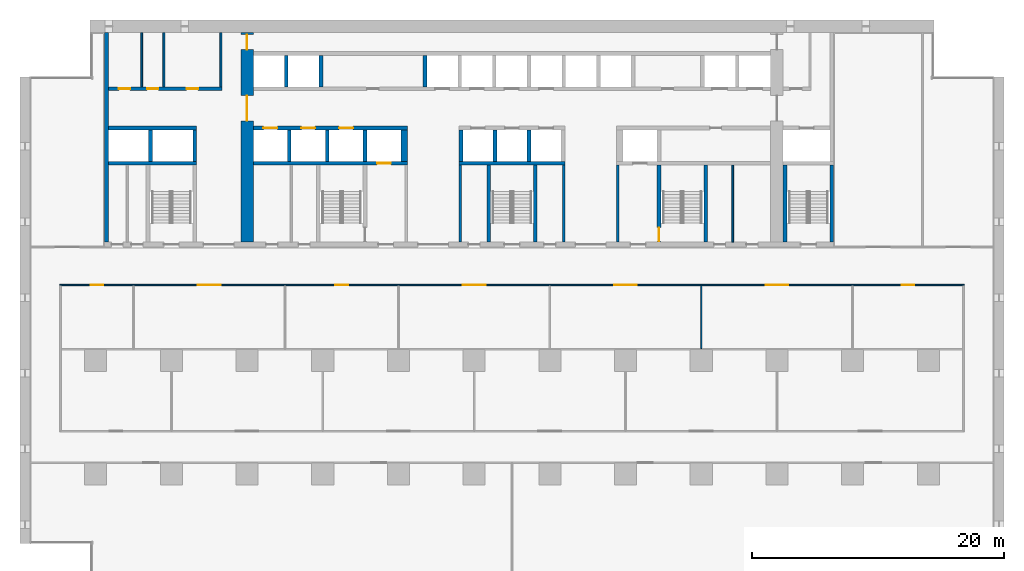
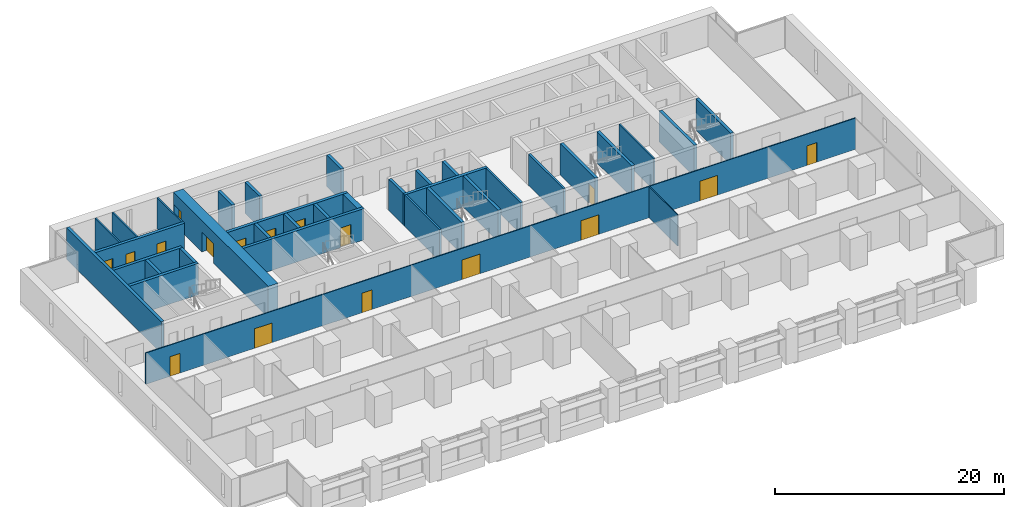
# One storey, part 10 of 18: 35 walls, 17 doors, 17 openings.
"""IFC4 building model written with IfcOpenShell, lengths in metres."""

from ifc_helpers import new_model, si_unit, direction, frame, frame_2d, origin, place, context, subcontext, project, spatial, rectangle, extrude, material, layer, layer_set, type_object, element, fill, save


model = new_model("IFC4")

# Units and contexts
model_context = context("Model", 3, precision=1e-05, world=origin(), true_north=direction((0.0, 1.0)))
body_context = subcontext(model_context, "Body", "Model", "MODEL_VIEW")
ifc_project = project(units=[si_unit("LENGTHUNIT", "METRE"), si_unit("AREAUNIT", "SQUARE_METRE"), si_unit("VOLUMEUNIT", "CUBIC_METRE"), si_unit("PLANEANGLEUNIT", "RADIAN"), si_unit("MASSUNIT", "GRAM", prefix="KILO")], contexts=[model_context])

# Site, building, storey
site_placement = place(None, origin())
site = spatial("IfcSite", under=ifc_project, at=site_placement, CompositionType="ELEMENT")
building_placement = place(site_placement, origin())
building = spatial("IfcBuilding", under=site, at=building_placement, Name="Calvaro Tower", CompositionType="ELEMENT")
storey_placement = place(building_placement, frame((0.0, 0.0, 41.25)))
storey = spatial("IfcBuildingStorey", under=building, at=storey_placement, Name="L09", CompositionType="ELEMENT", Elevation=41.25)

# Walls
ifc_material_1 = material(Name="Blockwork partition", Category="masonry")
ifc_layer_1 = layer(ifc_material_1, 0.14990234375)
ifc_layer_set_1 = layer_set([ifc_layer_1], Name="Blockwork partition")
wall_type_1 = type_object("IfcWallType", Name="Core partition 150 EI 60", PredefinedType="PARTITIONING", material=ifc_layer_set_1)
wall_1_placement = place(storey_placement, frame((56.5, 28.39990234375, 0.0), z_axis=(0.0, 0.0, 1.0), x_axis=(0.0, 1.0, 0.0)))
element("IfcWall", 1, at=wall_1_placement, inside=storey, type_object=wall_type_1, Name="Core partition", PredefinedType="PARTITIONING", context=body_context, shape_type="SweptSolid", body=[
    extrude(rectangle(XDim=6.10009765625, YDim=0.14990234375, at=frame_2d((3.050048828125, 0.0))), origin(), (0.0, 0.0, 1.0), 3.35009765625),
])
for number, where, z_axis, x_axis, name in (
    (2, (9.64990234375, 40.699951171875, 0.0), (0.0, 0.0, 1.0), (0.0, 1.0, 0.0), "Core partition"),
    (3, (11.39990234375, 40.699951171875, 0.0), (0.0, 0.0, 1.0), (0.0, 1.0, 0.0), "Core partition"),
):
    element("IfcWall", number, at=place(storey_placement, frame(where, z_axis=z_axis, x_axis=x_axis)), inside=storey, type_object=wall_type_1, Name=name, PredefinedType="PARTITIONING", context=body_context, shape_type="SweptSolid", body=[
        extrude(rectangle(XDim=4.300048828125, YDim=0.14990234375, at=frame_2d((2.14990234375, 0.0))), origin(), (0.0, 0.0, 1.0), 3.35009765625),
    ])
ifc_material_2 = material(Name="Blockwork partition", Category="masonry")
ifc_layer_2 = layer(ifc_material_2, 0.14990234375)
ifc_layer_set_2 = layer_set([ifc_layer_2], Name="Blockwork partition")
wall_type_2 = type_object("IfcWallType", Name="Core partition 150 REI 120", PredefinedType="PARTITIONING", material=ifc_layer_set_2)
wall_2_placement = place(storey_placement, frame((15.925048828125, 40.699951171875, 0.0), z_axis=(0.0, 0.0, 1.0), x_axis=(0.0, 1.0, 0.0)))
element("IfcWall", 4, at=wall_2_placement, inside=storey, type_object=wall_type_2, Name="Core partition", PredefinedType="PARTITIONING", context=body_context, shape_type="SweptSolid", body=[
    extrude(rectangle(XDim=4.300048828125, YDim=0.14990234375, at=frame_2d((2.14990234375, 0.0))), origin(), (0.0, 0.0, 1.0), 3.35009765625),
])
ifc_material_3 = material(Name="Blockwork partition", Category="masonry")
ifc_layer_3 = layer(ifc_material_3, 0.199951171875)
ifc_layer_set_3 = layer_set([ifc_layer_3], Name="Blockwork partition")
wall_type_3 = type_object("IfcWallType", Name="Core partition 200 REI 120", PredefinedType="PARTITIONING", material=ifc_layer_set_3)
for number, where, z_axis, x_axis, name in (
    (5, (34.89990234375, 28.39990234375, 0.0), (0.0, 0.0, 1.0), (0.0, 1.0, 0.0), "Core partition"),
    (6, (43.10009765625, 28.39990234375, 0.0), (0.0, 0.0, 1.0), (0.0, 1.0, 0.0), "Core partition"),
    (7, (47.39990234375, 28.39990234375, 0.0), (0.0, 0.0, 1.0), (0.0, 1.0, 0.0), "Core partition"),
):
    element("IfcWall", number, at=place(storey_placement, frame(where, z_axis=z_axis, x_axis=x_axis)), inside=storey, type_object=wall_type_3, Name=name, PredefinedType="PARTITIONING", context=body_context, shape_type="SweptSolid", body=[
        extrude(rectangle(XDim=6.10009765625, YDim=0.199951171875, at=frame_2d((3.050048828125, 0.0))), origin(), (0.0, 0.0, 1.0), 3.35009765625),
    ])

# Wall, openings, doors
ifc_material_4 = material(Name="Blockwork partition", Category="masonry")
ifc_layer_4 = layer(ifc_material_4, 0.300048828125)
ifc_layer_set_4 = layer_set([ifc_layer_4], Name="Blockwork partition")
wall_type_4 = type_object("IfcWallType", Name="Core partition 300 REI 120", PredefinedType="PARTITIONING", material=ifc_layer_set_4)
wall_3_placement = place(storey_placement, frame((7.0, 40.550048828125, 0.0), z_axis=(0.0, 0.0, 1.0), x_axis=(1.0, 0.0, 0.0)))
wall_3 = element("IfcWall", 8, at=wall_3_placement, inside=storey, type_object=wall_type_4, Name="Core partition", PredefinedType="PARTITIONING", context=body_context, shape_type="SweptSolid", body=[
    extrude(rectangle(XDim=9.0, YDim=0.300048828125, at=frame_2d((4.5, 0.0))), origin(), (0.0, 0.0, 1.0), 3.35009765625),
])
opening_1_placement = place(wall_3_placement, frame((0.83740234375, 0.0, 0.0)))
opening_1 = element("IfcOpeningElement", 9, at=opening_1_placement, cuts=wall_3, Name="Opening RD9", PredefinedType="OPENING", context=body_context, shape_type="SweptSolid", body=[
    extrude(rectangle(XDim=0.89990234375, YDim=2.10009765625, at=frame_2d((0.449951171875, 1.050048828125))), frame((0.0, 0.159912109375, 0.0), z_axis=(0.0, -1.0, 0.0), x_axis=(1.0, 0.0, 0.0)), (0.0, 0.0, 1.0), 0.320068359375),
])
opening_2_placement = place(wall_3_placement, frame((3.074951171875, 0.0, 0.0)))
opening_2 = element("IfcOpeningElement", 10, at=opening_2_placement, cuts=wall_3, Name="Opening RD9", PredefinedType="OPENING", context=body_context, shape_type="SweptSolid", body=[
    extrude(rectangle(XDim=0.89990234375, YDim=2.10009765625, at=frame_2d((0.449951171875, 1.050048828125))), frame((0.0, 0.159912109375, 0.0), z_axis=(0.0, -1.0, 0.0), x_axis=(1.0, 0.0, 0.0)), (0.0, 0.0, 1.0), 0.320068359375),
])
opening_3_placement = place(wall_3_placement, frame((6.21240234375, 0.0, 0.0)))
opening_3 = element("IfcOpeningElement", 11, at=opening_3_placement, cuts=wall_3, Name="Opening RD9", PredefinedType="OPENING", context=body_context, shape_type="SweptSolid", body=[
    extrude(rectangle(XDim=0.89990234375, YDim=2.10009765625, at=frame_2d((0.449951171875, 1.050048828125))), frame((0.0, 0.159912109375, 0.0), z_axis=(0.0, -1.0, 0.0), x_axis=(1.0, 0.0, 0.0)), (0.0, 0.0, 1.0), 0.320068359375),
])
ifc_material_5 = material(Name="Steel door set", Category="steel")
door_type_1 = type_object("IfcDoorType", Name="Room door 900", OperationType="SINGLE_SWING_LEFT", PredefinedType="DOOR", material=ifc_material_5)
door_1_placement = place(opening_1_placement, origin())
door_1 = element("IfcDoor", 12, at=door_1_placement, inside=storey, type_object=door_type_1, Name="Room door", OperationType="SINGLE_SWING_LEFT", OverallHeight=2.10009765625, OverallWidth=0.89990234375, PredefinedType="DOOR", context=body_context, shape_type="SweptSolid", body=[
    extrude(rectangle(XDim=0.89990234375, YDim=2.10009765625, at=frame_2d((0.449951171875, 1.050048828125))), frame((0.0, 0.02490234375, 0.0), z_axis=(0.0, -1.0, 0.0), x_axis=(1.0, 0.0, 0.0)), (0.0, 0.0, 1.0), 0.050048828125),
])
fill(opening_1, door_1)
door_2_placement = place(opening_2_placement, origin())
door_2 = element("IfcDoor", 13, at=door_2_placement, inside=storey, type_object=door_type_1, Name="Room door", OperationType="SINGLE_SWING_RIGHT", OverallHeight=2.10009765625, OverallWidth=0.89990234375, PredefinedType="DOOR", context=body_context, shape_type="SweptSolid", body=[
    extrude(rectangle(XDim=0.89990234375, YDim=2.10009765625, at=frame_2d((0.449951171875, 1.050048828125))), frame((0.0, 0.02490234375, 0.0), z_axis=(0.0, -1.0, 0.0), x_axis=(1.0, 0.0, 0.0)), (0.0, 0.0, 1.0), 0.050048828125),
])
fill(opening_2, door_2)
door_3_placement = place(opening_3_placement, origin())
door_3 = element("IfcDoor", 14, at=door_3_placement, inside=storey, type_object=door_type_1, Name="Room door", OperationType="SINGLE_SWING_LEFT", OverallHeight=2.10009765625, OverallWidth=0.89990234375, PredefinedType="DOOR", context=body_context, shape_type="SweptSolid", body=[
    extrude(rectangle(XDim=0.89990234375, YDim=2.10009765625, at=frame_2d((0.449951171875, 1.050048828125))), frame((0.0, 0.02490234375, 0.0), z_axis=(0.0, -1.0, 0.0), x_axis=(1.0, 0.0, 0.0)), (0.0, 0.0, 1.0), 0.050048828125),
])
fill(opening_3, door_3)

ifc_material_6 = material(Name="Concrete C80/95", Category="concrete")
ifc_layer_5 = layer(ifc_material_6, 1.0)
ifc_layer_set_5 = layer_set([ifc_layer_5], Name="Concrete C80/95")
wall_type_5 = type_object("IfcWallType", Name="Core wall C80/95 1000", PredefinedType="SHEAR", material=ifc_layer_set_5)
wall_4_placement = place(storey_placement, frame((18.0, 28.39990234375, 0.0), z_axis=(0.0, 0.0, 1.0), x_axis=(0.0, 1.0, 0.0)))
wall_4 = element("IfcWall", 15, at=wall_4_placement, inside=storey, type_object=wall_type_5, Name="Core wall, cross shear wall", PredefinedType="SHEAR", context=body_context, shape_type="SweptSolid", body=[
    extrude(rectangle(XDim=16.60009765625, YDim=1.0, at=frame_2d((8.300048828125, 0.0))), origin(), (0.0, 0.0, 1.0), 3.35009765625),
])
opening_4_placement = place(wall_4_placement, frame((9.60009765625, 0.0, 0.0)))
opening_4 = element("IfcOpeningElement", 16, at=opening_4_placement, cuts=wall_4, Name="Opening DD20D", PredefinedType="OPENING", context=body_context, shape_type="SweptSolid", body=[
    extrude(rectangle(XDim=2.0, YDim=2.10009765625, at=frame_2d((1.0, 1.050048828125))), frame((0.0, 0.510009765625, 0.0), z_axis=(0.0, -1.0, 0.0), x_axis=(1.0, 0.0, 0.0)), (0.0, 0.0, 1.0), 1.02001953125),
])
opening_5_placement = place(wall_4_placement, frame((15.25, 0.0, 0.0)))
opening_5 = element("IfcOpeningElement", 17, at=opening_5_placement, cuts=wall_4, Name="Opening FD12C", PredefinedType="OPENING", context=body_context, shape_type="SweptSolid", body=[
    extrude(rectangle(XDim=1.199951171875, YDim=2.10009765625, at=frame_2d((0.60009765625, 1.050048828125))), frame((0.0, 0.510009765625, 0.0), z_axis=(0.0, -1.0, 0.0), x_axis=(1.0, 0.0, 0.0)), (0.0, 0.0, 1.0), 1.02001953125),
])
ifc_material_7 = material(Name="Steel door set", Category="steel")
door_type_2 = type_object("IfcDoorType", Name="Fire door 1200 FD30", OperationType="SINGLE_SWING_LEFT", PredefinedType="DOOR", material=ifc_material_7)
door_4_placement = place(opening_5_placement, origin())
door_4 = element("IfcDoor", 18, at=door_4_placement, inside=storey, type_object=door_type_2, Name="Fire door", OperationType="SINGLE_SWING_LEFT", OverallHeight=2.10009765625, OverallWidth=1.199951171875, PredefinedType="DOOR", context=body_context, shape_type="SweptSolid", body=[
    extrude(rectangle(XDim=1.199951171875, YDim=2.10009765625, at=frame_2d((0.60009765625, 1.050048828125))), frame((0.0, 0.02490234375, 0.0), z_axis=(0.0, -1.0, 0.0), x_axis=(1.0, 0.0, 0.0)), (0.0, 0.0, 1.0), 0.050048828125),
])
fill(opening_5, door_4)
ifc_material_8 = material(Name="Steel door set", Category="steel")
door_type_3 = type_object("IfcDoorType", Name="Lobby double door 2000 FD30S", OperationType="DOUBLE_DOOR_SINGLE_SWING", PredefinedType="DOOR", material=ifc_material_8)
door_5_placement = place(opening_4_placement, origin())
door_5 = element("IfcDoor", 19, at=door_5_placement, inside=storey, type_object=door_type_3, Name="Lobby double door", OperationType="DOUBLE_DOOR_SINGLE_SWING", OverallHeight=2.10009765625, OverallWidth=2.0, PredefinedType="DOOR", context=body_context, shape_type="SweptSolid", body=[
    extrude(rectangle(XDim=2.0, YDim=2.10009765625, at=frame_2d((1.0, 1.050048828125))), frame((0.0, 0.02490234375, 0.0), z_axis=(0.0, -1.0, 0.0), x_axis=(1.0, 0.0, 0.0)), (0.0, 0.0, 1.0), 0.050048828125),
])
fill(opening_4, door_5)

# Walls
ifc_material_9 = material(Name="Concrete C80/95", Category="concrete")
ifc_layer_6 = layer(ifc_material_9, 0.300048828125)
ifc_layer_set_6 = layer_set([ifc_layer_6], Name="Concrete C80/95")
wall_type_6 = type_object("IfcWallType", Name="Core wall C80/95 300", PredefinedType="SHEAR", material=ifc_layer_set_6)
wall_5_placement = place(storey_placement, frame((6.85009765625, 28.39990234375, 0.0), z_axis=(0.0, 0.0, 1.0), x_axis=(0.0, 1.0, 0.0)))
element("IfcWall", 20, at=wall_5_placement, inside=storey, type_object=wall_type_6, Name="Core wall, boundary", PredefinedType="SHEAR", context=body_context, shape_type="SweptSolid", body=[
    extrude(rectangle(XDim=16.60009765625, YDim=0.300048828125, at=frame_2d((8.300048828125, 0.0))), origin(), (0.0, 0.0, 1.0), 3.35009765625),
])
for number, where, z_axis, x_axis, name in (
    (21, (37.14990234375, 28.39990234375, 0.0), (0.0, 0.0, 1.0), (0.0, 1.0, 0.0), "Core wall, stair enclosure"),
    (22, (40.85009765625, 28.39990234375, 0.0), (0.0, 0.0, 1.0), (0.0, 1.0, 0.0), "Core wall, stair enclosure"),
):
    element("IfcWall", number, at=place(storey_placement, frame(where, z_axis=z_axis, x_axis=x_axis)), inside=storey, type_object=wall_type_6, Name=name, PredefinedType="SHEAR", context=body_context, shape_type="SweptSolid", body=[
        extrude(rectangle(XDim=6.10009765625, YDim=0.300048828125, at=frame_2d((3.050048828125, 0.0))), origin(), (0.0, 0.0, 1.0), 3.35009765625),
    ])

# Wall, opening, door
wall_6_placement = place(storey_placement, frame((50.64990234375, 34.5, 0.0), z_axis=(0.0, 0.0, 1.0), x_axis=(0.0, -1.0, 0.0)))
wall_6 = element("IfcWall", 23, at=wall_6_placement, inside=storey, type_object=wall_type_6, Name="Core wall, stair enclosure", PredefinedType="SHEAR", context=body_context, shape_type="SweptSolid", body=[
    extrude(rectangle(XDim=6.10009765625, YDim=0.300048828125, at=frame_2d((3.050048828125, 0.0))), origin(), (0.0, 0.0, 1.0), 3.35009765625),
])
opening_6_placement = place(wall_6_placement, frame((4.949951171875, 0.0, 0.0)))
opening_6 = element("IfcOpeningElement", 24, at=opening_6_placement, cuts=wall_6, Name="Opening FD11D", PredefinedType="OPENING", context=body_context, shape_type="SweptSolid", body=[
    extrude(rectangle(XDim=1.10009765625, YDim=2.10009765625, at=frame_2d((0.550048828125, 1.050048828125))), frame((0.0, 0.159912109375, 0.0), z_axis=(0.0, -1.0, 0.0), x_axis=(1.0, 0.0, 0.0)), (0.0, 0.0, 1.0), 0.320068359375),
])
ifc_material_10 = material(Name="Steel door set", Category="steel")
door_type_4 = type_object("IfcDoorType", Name="Fire door 1100 FD30S", OperationType="SINGLE_SWING_LEFT", PredefinedType="DOOR", material=ifc_material_10)
door_6_placement = place(opening_6_placement, origin())
door_6 = element("IfcDoor", 25, at=door_6_placement, inside=storey, type_object=door_type_4, Name="Fire door", OperationType="SINGLE_SWING_RIGHT", OverallHeight=2.10009765625, OverallWidth=1.10009765625, PredefinedType="DOOR", context=body_context, shape_type="SweptSolid", body=[
    extrude(rectangle(XDim=1.10009765625, YDim=2.10009765625, at=frame_2d((0.550048828125, 1.050048828125))), frame((0.0, 0.02490234375, 0.0), z_axis=(0.0, -1.0, 0.0), x_axis=(1.0, 0.0, 0.0)), (0.0, 0.0, 1.0), 0.050048828125),
])
fill(opening_6, door_6)

# Walls
for number, where, z_axis, x_axis, name in (
    (26, (54.35009765625, 28.39990234375, 0.0), (0.0, 0.0, 1.0), (0.0, 1.0, 0.0), "Core wall, stair enclosure"),
    (27, (60.64990234375, 28.39990234375, 0.0), (0.0, 0.0, 1.0), (0.0, 1.0, 0.0), "Core wall, stair enclosure"),
    (28, (64.35009765625, 28.39990234375, 0.0), (0.0, 0.0, 1.0), (0.0, 1.0, 0.0), "Core wall, stair enclosure"),
):
    element("IfcWall", number, at=place(storey_placement, frame(where, z_axis=z_axis, x_axis=x_axis)), inside=storey, type_object=wall_type_6, Name=name, PredefinedType="SHEAR", context=body_context, shape_type="SweptSolid", body=[
        extrude(rectangle(XDim=6.10009765625, YDim=0.300048828125, at=frame_2d((3.050048828125, 0.0))), origin(), (0.0, 0.0, 1.0), 3.35009765625),
    ])
wall_7_placement = place(storey_placement, frame((7.0, 34.64990234375, 0.0), z_axis=(0.0, 0.0, 1.0), x_axis=(1.0, 0.0, 0.0)))
element("IfcWall", 29, at=wall_7_placement, inside=storey, type_object=wall_type_6, Name="Core wall, lift shaft", PredefinedType="SHEAR", context=body_context, shape_type="SweptSolid", body=[
    extrude(rectangle(XDim=7.0, YDim=0.300048828125, at=frame_2d((3.5, 0.0))), origin(), (0.0, 0.0, 1.0), 3.35009765625),
])

# Wall, opening, door
wall_8_placement = place(storey_placement, frame((18.5, 34.64990234375, 0.0), z_axis=(0.0, 0.0, 1.0), x_axis=(1.0, 0.0, 0.0)))
wall_8 = element("IfcWall", 30, at=wall_8_placement, inside=storey, type_object=wall_type_6, Name="Core wall, lift shaft", PredefinedType="SHEAR", context=body_context, shape_type="SweptSolid", body=[
    extrude(rectangle(XDim=12.199951171875, YDim=0.300048828125, at=frame_2d((6.10009765625, 0.0))), origin(), (0.0, 0.0, 1.0), 3.35009765625),
])
opening_7_placement = place(wall_8_placement, frame((9.800048828125, 0.0, 0.0)))
opening_7 = element("IfcOpeningElement", 31, at=opening_7_placement, cuts=wall_8, Name="Opening FF1", PredefinedType="OPENING", context=body_context, shape_type="SweptSolid", body=[
    extrude(rectangle(XDim=1.10009765625, YDim=2.10009765625, at=frame_2d((0.550048828125, 1.050048828125))), frame((0.0, 0.159912109375, 0.0), z_axis=(0.0, -1.0, 0.0), x_axis=(1.0, 0.0, 0.0)), (0.0, 0.0, 1.0), 0.320068359375),
])
ifc_material_11 = material(Name="Stainless steel", Category="steel")
door_type_5 = type_object("IfcDoorType", Name="Landing door 1100 E 60", OperationType="SLIDING_TO_LEFT", PredefinedType="DOOR", material=ifc_material_11)
door_7_placement = place(opening_7_placement, origin())
door_7 = element("IfcDoor", 32, at=door_7_placement, inside=storey, type_object=door_type_5, Name="Landing door FF1", OperationType="SLIDING_TO_LEFT", OverallHeight=2.10009765625, OverallWidth=1.10009765625, PredefinedType="DOOR", context=body_context, shape_type="SweptSolid", body=[
    extrude(rectangle(XDim=1.10009765625, YDim=2.10009765625, at=frame_2d((0.550048828125, 1.050048828125))), frame((0.0, 0.02490234375, 0.0), z_axis=(0.0, -1.0, 0.0), x_axis=(1.0, 0.0, 0.0)), (0.0, 0.0, 1.0), 0.050048828125),
])
fill(opening_7, door_7)

# Walls
wall_9_placement = place(storey_placement, frame((34.800048828125, 34.64990234375, 0.0), z_axis=(0.0, 0.0, 1.0), x_axis=(1.0, 0.0, 0.0)))
element("IfcWall", 33, at=wall_9_placement, inside=storey, type_object=wall_type_6, Name="Core wall, lift shaft", PredefinedType="SHEAR", context=body_context, shape_type="SweptSolid", body=[
    extrude(rectangle(XDim=8.39990234375, YDim=0.300048828125, at=frame_2d((4.199951171875, 0.0))), origin(), (0.0, 0.0, 1.0), 3.35009765625),
])
wall_10_placement = place(storey_placement, frame((7.0, 37.449951171875, 0.0), z_axis=(0.0, 0.0, 1.0), x_axis=(1.0, 0.0, 0.0)))
element("IfcWall", 34, at=wall_10_placement, inside=storey, type_object=wall_type_6, Name="Core wall, lift shaft", PredefinedType="SHEAR", context=body_context, shape_type="SweptSolid", body=[
    extrude(rectangle(XDim=7.0, YDim=0.300048828125, at=frame_2d((3.5, 0.0))), origin(), (0.0, 0.0, 1.0), 3.35009765625),
])

# Wall, openings, doors
wall_11_placement = place(storey_placement, frame((18.5, 37.449951171875, 0.0), z_axis=(0.0, 0.0, 1.0), x_axis=(1.0, 0.0, 0.0)))
wall_11 = element("IfcWall", 35, at=wall_11_placement, inside=storey, type_object=wall_type_6, Name="Core wall, lift shaft", PredefinedType="SHEAR", context=body_context, shape_type="SweptSolid", body=[
    extrude(rectangle(XDim=12.199951171875, YDim=0.300048828125, at=frame_2d((6.10009765625, 0.0))), origin(), (0.0, 0.0, 1.0), 3.35009765625),
])
opening_8_placement = place(wall_11_placement, frame((0.800048828125, 0.0, 0.0)))
opening_8 = element("IfcOpeningElement", 36, at=opening_8_placement, cuts=wall_11, Name="Opening LR1", PredefinedType="OPENING", context=body_context, shape_type="SweptSolid", body=[
    extrude(rectangle(XDim=1.10009765625, YDim=2.10009765625, at=frame_2d((0.550048828125, 1.050048828125))), frame((0.0, 0.159912109375, 0.0), z_axis=(0.0, -1.0, 0.0), x_axis=(1.0, 0.0, 0.0)), (0.0, 0.0, 1.0), 0.320068359375),
])
opening_9_placement = place(wall_11_placement, frame((3.800048828125, 0.0, 0.0)))
opening_9 = element("IfcOpeningElement", 37, at=opening_9_placement, cuts=wall_11, Name="Opening LR2", PredefinedType="OPENING", context=body_context, shape_type="SweptSolid", body=[
    extrude(rectangle(XDim=1.10009765625, YDim=2.10009765625, at=frame_2d((0.550048828125, 1.050048828125))), frame((0.0, 0.159912109375, 0.0), z_axis=(0.0, -1.0, 0.0), x_axis=(1.0, 0.0, 0.0)), (0.0, 0.0, 1.0), 0.320068359375),
])
opening_10_placement = place(wall_11_placement, frame((6.800048828125, 0.0, 0.0)))
opening_10 = element("IfcOpeningElement", 38, at=opening_10_placement, cuts=wall_11, Name="Opening LR3", PredefinedType="OPENING", context=body_context, shape_type="SweptSolid", body=[
    extrude(rectangle(XDim=1.10009765625, YDim=2.10009765625, at=frame_2d((0.550048828125, 1.050048828125))), frame((0.0, 0.159912109375, 0.0), z_axis=(0.0, -1.0, 0.0), x_axis=(1.0, 0.0, 0.0)), (0.0, 0.0, 1.0), 0.320068359375),
])
door_8_placement = place(opening_8_placement, origin())
door_8 = element("IfcDoor", 39, at=door_8_placement, inside=storey, type_object=door_type_5, Name="Landing door LR1", OperationType="SLIDING_TO_LEFT", OverallHeight=2.10009765625, OverallWidth=1.10009765625, PredefinedType="DOOR", context=body_context, shape_type="SweptSolid", body=[
    extrude(rectangle(XDim=1.10009765625, YDim=2.10009765625, at=frame_2d((0.550048828125, 1.050048828125))), frame((0.0, 0.02490234375, 0.0), z_axis=(0.0, -1.0, 0.0), x_axis=(1.0, 0.0, 0.0)), (0.0, 0.0, 1.0), 0.050048828125),
])
fill(opening_8, door_8)
door_9_placement = place(opening_9_placement, origin())
door_9 = element("IfcDoor", 40, at=door_9_placement, inside=storey, type_object=door_type_5, Name="Landing door LR2", OperationType="SLIDING_TO_LEFT", OverallHeight=2.10009765625, OverallWidth=1.10009765625, PredefinedType="DOOR", context=body_context, shape_type="SweptSolid", body=[
    extrude(rectangle(XDim=1.10009765625, YDim=2.10009765625, at=frame_2d((0.550048828125, 1.050048828125))), frame((0.0, 0.02490234375, 0.0), z_axis=(0.0, -1.0, 0.0), x_axis=(1.0, 0.0, 0.0)), (0.0, 0.0, 1.0), 0.050048828125),
])
fill(opening_9, door_9)
door_10_placement = place(opening_10_placement, origin())
door_10 = element("IfcDoor", 41, at=door_10_placement, inside=storey, type_object=door_type_5, Name="Landing door LR3", OperationType="SLIDING_TO_LEFT", OverallHeight=2.10009765625, OverallWidth=1.10009765625, PredefinedType="DOOR", context=body_context, shape_type="SweptSolid", body=[
    extrude(rectangle(XDim=1.10009765625, YDim=2.10009765625, at=frame_2d((0.550048828125, 1.050048828125))), frame((0.0, 0.02490234375, 0.0), z_axis=(0.0, -1.0, 0.0), x_axis=(1.0, 0.0, 0.0)), (0.0, 0.0, 1.0), 0.050048828125),
])
fill(opening_10, door_10)

# Walls
for number, where, z_axis, x_axis, name in (
    (42, (27.35009765625, 34.800048828125, 0.0), (0.0, 0.0, 1.0), (0.0, 1.0, 0.0), "Core wall, lift shaft"),
    (43, (34.949951171875, 34.800048828125, 0.0), (0.0, 0.0, 1.0), (0.0, 1.0, 0.0), "Core wall, lift shaft"),
    (44, (13.85009765625, 34.800048828125, 0.0), (0.0, 0.0, 1.0), (0.0, 1.0, 0.0), "Core wall, lift shaft"),
    (45, (21.35009765625, 34.800048828125, 0.0), (0.0, 0.0, 1.0), (0.0, 1.0, 0.0), "Core wall, lift shaft"),
    (46, (24.35009765625, 34.800048828125, 0.0), (0.0, 0.0, 1.0), (0.0, 1.0, 0.0), "Core wall, lift shaft"),
    (47, (37.64990234375, 34.800048828125, 0.0), (0.0, 0.0, 1.0), (0.0, 1.0, 0.0), "Core wall, lift shaft"),
    (48, (40.35009765625, 34.800048828125, 0.0), (0.0, 0.0, 1.0), (0.0, 1.0, 0.0), "Core wall, lift shaft"),
    (49, (21.10009765625, 40.699951171875, 0.0), (0.0, 0.0, 1.0), (0.0, 1.0, 0.0), "Core wall, lift shaft"),
    (50, (23.85009765625, 40.699951171875, 0.0), (0.0, 0.0, 1.0), (0.0, 1.0, 0.0), "Core wall, lift shaft"),
    (51, (32.10009765625, 40.699951171875, 0.0), (0.0, 0.0, 1.0), (0.0, 1.0, 0.0), "Core wall, lift shaft"),
    (52, (10.35009765625, 34.800048828125, 0.0), (0.0, 0.0, 1.0), (0.0, 1.0, 0.0), "Core wall, lift shaft"),
):
    element("IfcWall", number, at=place(storey_placement, frame(where, z_axis=z_axis, x_axis=x_axis)), inside=storey, type_object=wall_type_6, Name=name, PredefinedType="SHEAR", context=body_context, shape_type="SweptSolid", body=[
        extrude(rectangle(XDim=2.5, YDim=0.300048828125, at=frame_2d((1.25, 0.0))), origin(), (0.0, 0.0, 1.0), 3.35009765625),
    ])
ifc_material_12 = material(Name="Concrete C80/95", Category="concrete")
ifc_layer_7 = layer(ifc_material_12, 0.5)
ifc_layer_set_7 = layer_set([ifc_layer_7], Name="Concrete C80/95")
wall_type_7 = type_object("IfcWallType", Name="Core wall C80/95 500", PredefinedType="SHEAR", material=ifc_layer_set_7)
wall_12_placement = place(storey_placement, frame((30.449951171875, 34.800048828125, 0.0), z_axis=(0.0, 0.0, 1.0), x_axis=(0.0, 1.0, 0.0)))
element("IfcWall", 53, at=wall_12_placement, inside=storey, type_object=wall_type_7, Name="Core wall, lift shaft", PredefinedType="SHEAR", context=body_context, shape_type="SweptSolid", body=[
    extrude(rectangle(XDim=2.5, YDim=0.5, at=frame_2d((1.25, 0.0))), origin(), (0.0, 0.0, 1.0), 3.35009765625),
])

# Wall, openings, doors
ifc_material_13 = material(Name="Plasterboard on steel studs", Category="steel")
ifc_layer_8 = layer(ifc_material_13, 0.10009765625)
ifc_layer_set_8 = layer_set([ifc_layer_8], Name="Plasterboard on steel studs")
wall_type_8 = type_object("IfcWallType", Name="Partition 100", PredefinedType="PARTITIONING", material=ifc_layer_set_8)
wall_13_placement = place(storey_placement, frame((3.14990234375, 25.0, 0.0), z_axis=(0.0, 0.0, 1.0), x_axis=(1.0, 0.0, 0.0)))
wall_13 = element("IfcWall", 54, at=wall_13_placement, inside=storey, type_object=wall_type_8, Name="Partition T09.W004", PredefinedType="PARTITIONING", context=body_context, shape_type="SweptSolid", body=[
    extrude(rectangle(XDim=71.7001953125, YDim=0.10009765625, at=frame_2d((35.85009765625, 0.0))), origin(), (0.0, 0.0, 1.0), 3.35009765625),
])
opening_11_placement = place(wall_13_placement, frame((21.85009765625, 0.0, 0.0)))
opening_11 = element("IfcOpeningElement", 55, at=opening_11_placement, cuts=wall_13, Name="Opening T09.011", PredefinedType="OPENING", context=body_context, shape_type="SweptSolid", body=[
    extrude(rectangle(XDim=1.0, YDim=2.10009765625, at=frame_2d((0.5, 1.050048828125))), frame((0.0, 0.06005859375, 0.0), z_axis=(0.0, -1.0, 0.0), x_axis=(1.0, 0.0, 0.0)), (0.0, 0.0, 1.0), 0.1201171875),
])
opening_12_placement = place(wall_13_placement, frame((66.75, 0.0, 0.0)))
opening_12 = element("IfcOpeningElement", 56, at=opening_12_placement, cuts=wall_13, Name="Opening T09.012", PredefinedType="OPENING", context=body_context, shape_type="SweptSolid", body=[
    extrude(rectangle(XDim=1.0, YDim=2.10009765625, at=frame_2d((0.5, 1.050048828125))), frame((0.0, 0.06005859375, 0.0), z_axis=(0.0, -1.0, 0.0), x_axis=(1.0, 0.0, 0.0)), (0.0, 0.0, 1.0), 0.1201171875),
])
opening_13_placement = place(wall_13_placement, frame((2.449951171875, 0.0, 0.0)))
opening_13 = element("IfcOpeningElement", 57, at=opening_13_placement, cuts=wall_13, Name="Opening T09.013", PredefinedType="OPENING", context=body_context, shape_type="SweptSolid", body=[
    extrude(rectangle(XDim=1.0, YDim=2.10009765625, at=frame_2d((0.5, 1.050048828125))), frame((0.0, 0.06005859375, 0.0), z_axis=(0.0, -1.0, 0.0), x_axis=(1.0, 0.0, 0.0)), (0.0, 0.0, 1.0), 0.1201171875),
])
opening_14_placement = place(wall_13_placement, frame((10.949951171875, 0.0, 0.0)))
opening_14 = element("IfcOpeningElement", 58, at=opening_14_placement, cuts=wall_13, Name="Opening T09.014", PredefinedType="OPENING", context=body_context, shape_type="SweptSolid", body=[
    extrude(rectangle(XDim=1.800048828125, YDim=2.10009765625, at=frame_2d((0.89990234375, 1.050048828125))), frame((0.0, 0.06005859375, 0.0), z_axis=(0.0, -1.0, 0.0), x_axis=(1.0, 0.0, 0.0)), (0.0, 0.0, 1.0), 0.1201171875),
])
opening_15_placement = place(wall_13_placement, frame((31.949951171875, 0.0, 0.0)))
opening_15 = element("IfcOpeningElement", 59, at=opening_15_placement, cuts=wall_13, Name="Opening T09.015", PredefinedType="OPENING", context=body_context, shape_type="SweptSolid", body=[
    extrude(rectangle(XDim=1.800048828125, YDim=2.10009765625, at=frame_2d((0.89990234375, 1.050048828125))), frame((0.0, 0.06005859375, 0.0), z_axis=(0.0, -1.0, 0.0), x_axis=(1.0, 0.0, 0.0)), (0.0, 0.0, 1.0), 0.1201171875),
])
opening_16_placement = place(wall_13_placement, frame((43.949951171875, 0.0, 0.0)))
opening_16 = element("IfcOpeningElement", 60, at=opening_16_placement, cuts=wall_13, Name="Opening T09.016", PredefinedType="OPENING", context=body_context, shape_type="SweptSolid", body=[
    extrude(rectangle(XDim=1.800048828125, YDim=2.10009765625, at=frame_2d((0.89990234375, 1.050048828125))), frame((0.0, 0.06005859375, 0.0), z_axis=(0.0, -1.0, 0.0), x_axis=(1.0, 0.0, 0.0)), (0.0, 0.0, 1.0), 0.1201171875),
])
opening_17_placement = place(wall_13_placement, frame((55.949951171875, 0.0, 0.0)))
opening_17 = element("IfcOpeningElement", 61, at=opening_17_placement, cuts=wall_13, Name="Opening T09.017", PredefinedType="OPENING", context=body_context, shape_type="SweptSolid", body=[
    extrude(rectangle(XDim=1.800048828125, YDim=2.10009765625, at=frame_2d((0.89990234375, 1.050048828125))), frame((0.0, 0.06005859375, 0.0), z_axis=(0.0, -1.0, 0.0), x_axis=(1.0, 0.0, 0.0)), (0.0, 0.0, 1.0), 0.1201171875),
])
ifc_material_14 = material(Name="Timber", Category="wood")
door_type_6 = type_object("IfcDoorType", Name="Internal double door 1800 x 2100", OperationType="DOUBLE_DOOR_SINGLE_SWING", PredefinedType="DOOR", material=ifc_material_14)
door_11_placement = place(opening_14_placement, origin())
door_11 = element("IfcDoor", 62, at=door_11_placement, inside=storey, type_object=door_type_6, Name="Door T09.014", OperationType="DOUBLE_DOOR_SINGLE_SWING", OverallHeight=2.10009765625, OverallWidth=1.800048828125, PredefinedType="DOOR", context=body_context, shape_type="SweptSolid", body=[
    extrude(rectangle(XDim=1.800048828125, YDim=2.10009765625, at=frame_2d((0.89990234375, 1.050048828125))), frame((0.0, 0.02490234375, 0.0), z_axis=(0.0, -1.0, 0.0), x_axis=(1.0, 0.0, 0.0)), (0.0, 0.0, 1.0), 0.050048828125),
])
fill(opening_14, door_11)
door_12_placement = place(opening_15_placement, origin())
door_12 = element("IfcDoor", 63, at=door_12_placement, inside=storey, type_object=door_type_6, Name="Door T09.015", OperationType="DOUBLE_DOOR_SINGLE_SWING", OverallHeight=2.10009765625, OverallWidth=1.800048828125, PredefinedType="DOOR", context=body_context, shape_type="SweptSolid", body=[
    extrude(rectangle(XDim=1.800048828125, YDim=2.10009765625, at=frame_2d((0.89990234375, 1.050048828125))), frame((0.0, 0.02490234375, 0.0), z_axis=(0.0, -1.0, 0.0), x_axis=(1.0, 0.0, 0.0)), (0.0, 0.0, 1.0), 0.050048828125),
])
fill(opening_15, door_12)
door_13_placement = place(opening_16_placement, origin())
door_13 = element("IfcDoor", 64, at=door_13_placement, inside=storey, type_object=door_type_6, Name="Door T09.016", OperationType="DOUBLE_DOOR_SINGLE_SWING", OverallHeight=2.10009765625, OverallWidth=1.800048828125, PredefinedType="DOOR", context=body_context, shape_type="SweptSolid", body=[
    extrude(rectangle(XDim=1.800048828125, YDim=2.10009765625, at=frame_2d((0.89990234375, 1.050048828125))), frame((0.0, 0.02490234375, 0.0), z_axis=(0.0, -1.0, 0.0), x_axis=(1.0, 0.0, 0.0)), (0.0, 0.0, 1.0), 0.050048828125),
])
fill(opening_16, door_13)
door_14_placement = place(opening_17_placement, origin())
door_14 = element("IfcDoor", 65, at=door_14_placement, inside=storey, type_object=door_type_6, Name="Door T09.017", OperationType="DOUBLE_DOOR_SINGLE_SWING", OverallHeight=2.10009765625, OverallWidth=1.800048828125, PredefinedType="DOOR", context=body_context, shape_type="SweptSolid", body=[
    extrude(rectangle(XDim=1.800048828125, YDim=2.10009765625, at=frame_2d((0.89990234375, 1.050048828125))), frame((0.0, 0.02490234375, 0.0), z_axis=(0.0, -1.0, 0.0), x_axis=(1.0, 0.0, 0.0)), (0.0, 0.0, 1.0), 0.050048828125),
])
fill(opening_17, door_14)
ifc_material_15 = material(Name="Timber", Category="wood")
door_type_7 = type_object("IfcDoorType", Name="Internal single door 1000 x 2100", OperationType="SINGLE_SWING_LEFT", PredefinedType="DOOR", material=ifc_material_15)
door_15_placement = place(opening_11_placement, origin())
door_15 = element("IfcDoor", 66, at=door_15_placement, inside=storey, type_object=door_type_7, Name="Door T09.011", OperationType="SINGLE_SWING_LEFT", OverallHeight=2.10009765625, OverallWidth=1.0, PredefinedType="DOOR", context=body_context, shape_type="SweptSolid", body=[
    extrude(rectangle(XDim=1.0, YDim=2.10009765625, at=frame_2d((0.5, 1.050048828125))), frame((0.0, 0.02490234375, 0.0), z_axis=(0.0, -1.0, 0.0), x_axis=(1.0, 0.0, 0.0)), (0.0, 0.0, 1.0), 0.050048828125),
])
fill(opening_11, door_15)
door_16_placement = place(opening_12_placement, origin())
door_16 = element("IfcDoor", 67, at=door_16_placement, inside=storey, type_object=door_type_7, Name="Door T09.012", OperationType="SINGLE_SWING_RIGHT", OverallHeight=2.10009765625, OverallWidth=1.0, PredefinedType="DOOR", context=body_context, shape_type="SweptSolid", body=[
    extrude(rectangle(XDim=1.0, YDim=2.10009765625, at=frame_2d((0.5, 1.050048828125))), frame((0.0, 0.02490234375, 0.0), z_axis=(0.0, -1.0, 0.0), x_axis=(1.0, 0.0, 0.0)), (0.0, 0.0, 1.0), 0.050048828125),
])
fill(opening_12, door_16)
door_17_placement = place(opening_13_placement, origin())
door_17 = element("IfcDoor", 68, at=door_17_placement, inside=storey, type_object=door_type_7, Name="Door T09.013", OperationType="SINGLE_SWING_LEFT", OverallHeight=2.10009765625, OverallWidth=1.0, PredefinedType="DOOR", context=body_context, shape_type="SweptSolid", body=[
    extrude(rectangle(XDim=1.0, YDim=2.10009765625, at=frame_2d((0.5, 1.050048828125))), frame((0.0, 0.02490234375, 0.0), z_axis=(0.0, -1.0, 0.0), x_axis=(1.0, 0.0, 0.0)), (0.0, 0.0, 1.0), 0.050048828125),
])
fill(opening_13, door_17)

# Wall
wall_14_placement = place(storey_placement, frame((54.0, 19.949951171875, 0.0), z_axis=(0.0, 0.0, 1.0), x_axis=(0.0, 1.0, 0.0)))
element("IfcWall", 69, at=wall_14_placement, inside=storey, type_object=wall_type_8, Name="Partition T09.W017", PredefinedType="PARTITIONING", context=body_context, shape_type="SweptSolid", body=[
    extrude(rectangle(XDim=5.0, YDim=0.10009765625, at=frame_2d((2.5, 0.0))), origin(), (0.0, 0.0, 1.0), 3.35009765625),
])

save(model, "model.ifc")
